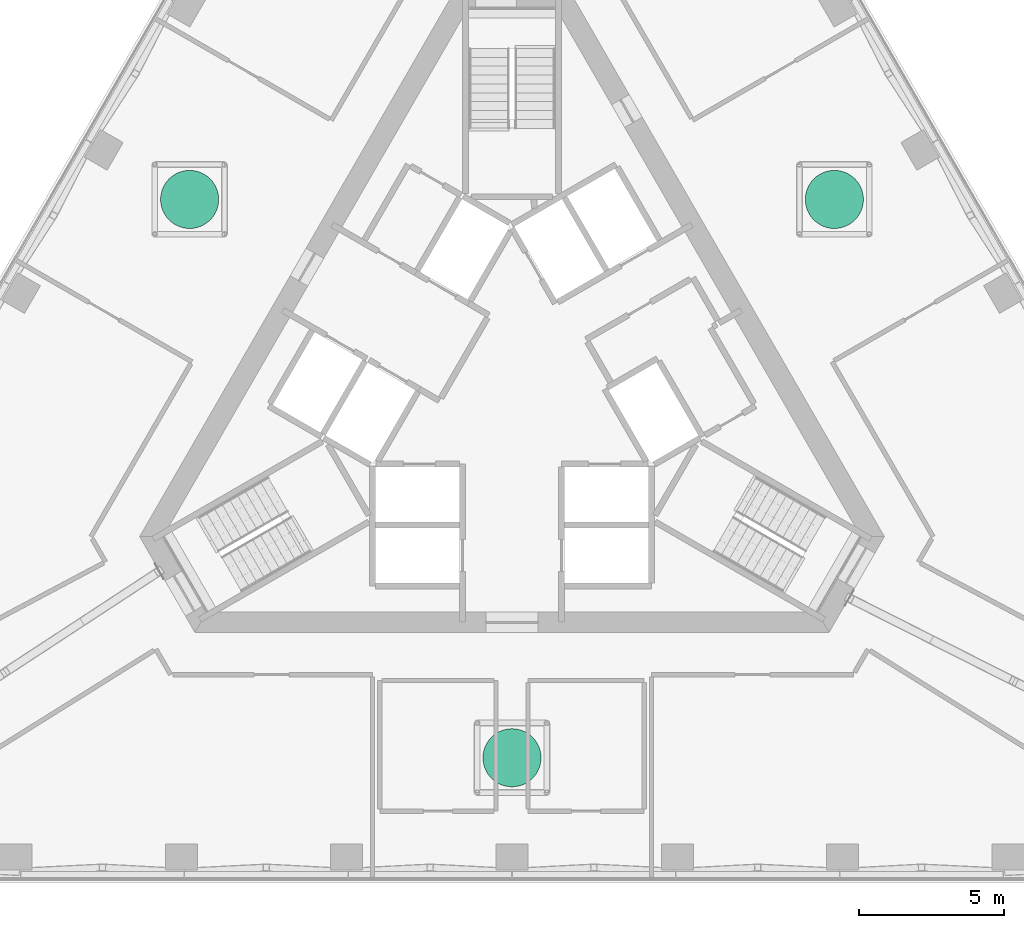
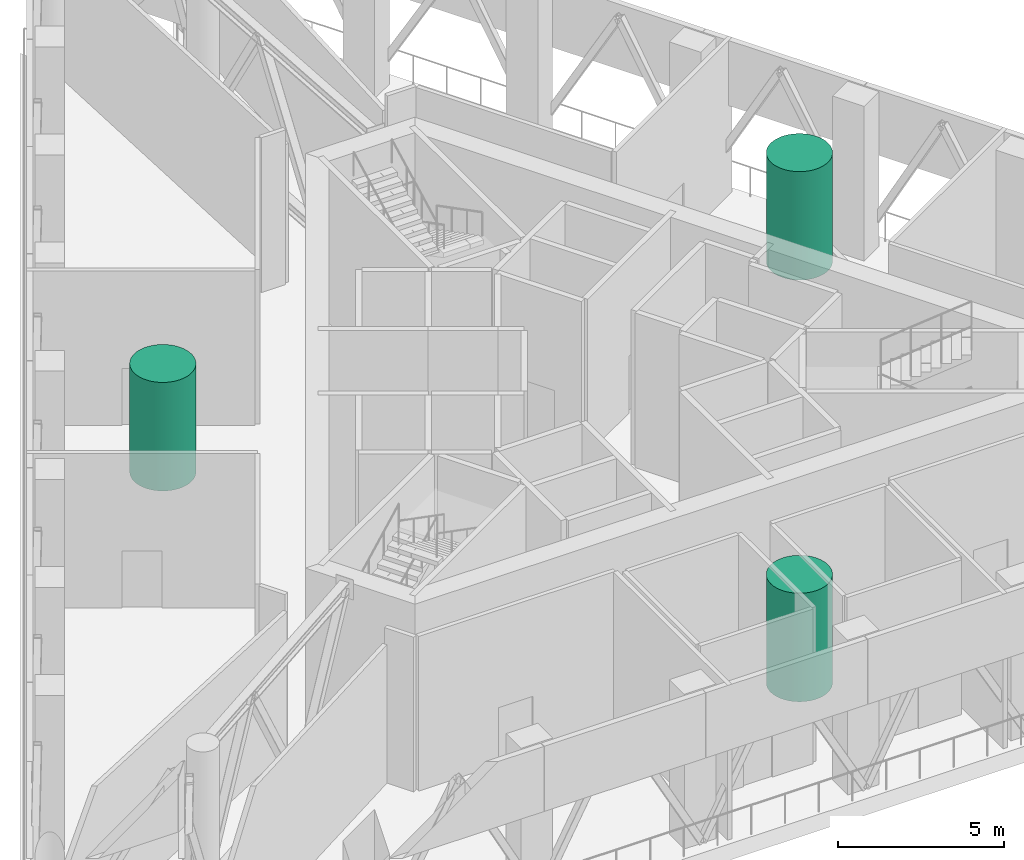
# One storey, part 15 of 15: 3 electric generators.
"""IFC4 building model written with IfcOpenShell, lengths in metres."""

from ifc_helpers import new_model, si_unit, direction, frame, origin, origin_2d, place, context, subcontext, project, spatial, circle, extrude, material, type_object, element, save


model = new_model("IFC4")

# Units and contexts
model_context = context("Model", 3, precision=1e-05, world=origin(), true_north=direction((0.0, 1.0)))
body_context = subcontext(model_context, "Body", "Model", "MODEL_VIEW")
ifc_project = project(units=[si_unit("LENGTHUNIT", "METRE"), si_unit("AREAUNIT", "SQUARE_METRE"), si_unit("VOLUMEUNIT", "CUBIC_METRE"), si_unit("PLANEANGLEUNIT", "RADIAN"), si_unit("MASSUNIT", "GRAM", prefix="KILO")], contexts=[model_context])

# Site, building, storey
site_placement = place(None, origin())
site = spatial("IfcSite", under=ifc_project, at=site_placement, CompositionType="ELEMENT")
building_placement = place(site_placement, origin())
building = spatial("IfcBuilding", under=site, at=building_placement, Name="Triada Interchange Tower", CompositionType="ELEMENT")
storey_placement = place(building_placement, frame((0.0, 0.0, 255.800048828125)))
storey = spatial("IfcBuildingStorey", under=building, at=storey_placement, Name="L60", CompositionType="ELEMENT", Elevation=255.800048828125)

# Electric generators
ifc_material = material(Name="Steel and composite", Category="steel")
electric_generator_type = type_object("IfcElectricGeneratorType", Name="Wind turbine unit", PredefinedType="USERDEFINED", material=ifc_material)
for number, where, z_axis, x_axis, name in (
    (1, (-11.094970703125, 6.405029296875, 5.599853515625), (0.0, 0.0, -1.0), (1.0, 0.0, 0.0), "Wind turbine 1"),
    (2, (0.0, -12.81103515625, 5.599853515625), (0.0, 0.0, -1.0), (1.0, 0.0, 0.0), "Wind turbine 2"),
    (3, (11.094970703125, 6.405029296875, 5.599853515625), (0.0, 0.0, -1.0), (1.0, 0.0, 0.0), "Wind turbine 3"),
):
    element("IfcElectricGenerator", number, at=place(storey_placement, frame(where, z_axis=z_axis, x_axis=x_axis)), inside=storey, type_object=electric_generator_type, Name=name, ObjectType="WIND TURBINE", PredefinedType="USERDEFINED", context=body_context, shape_type="SweptSolid", body=[
        extrude(circle(Radius=1.0, at=origin_2d()), origin(), (0.0, 0.0, 1.0), 4.0),
    ])

save(model, "model.ifc")
